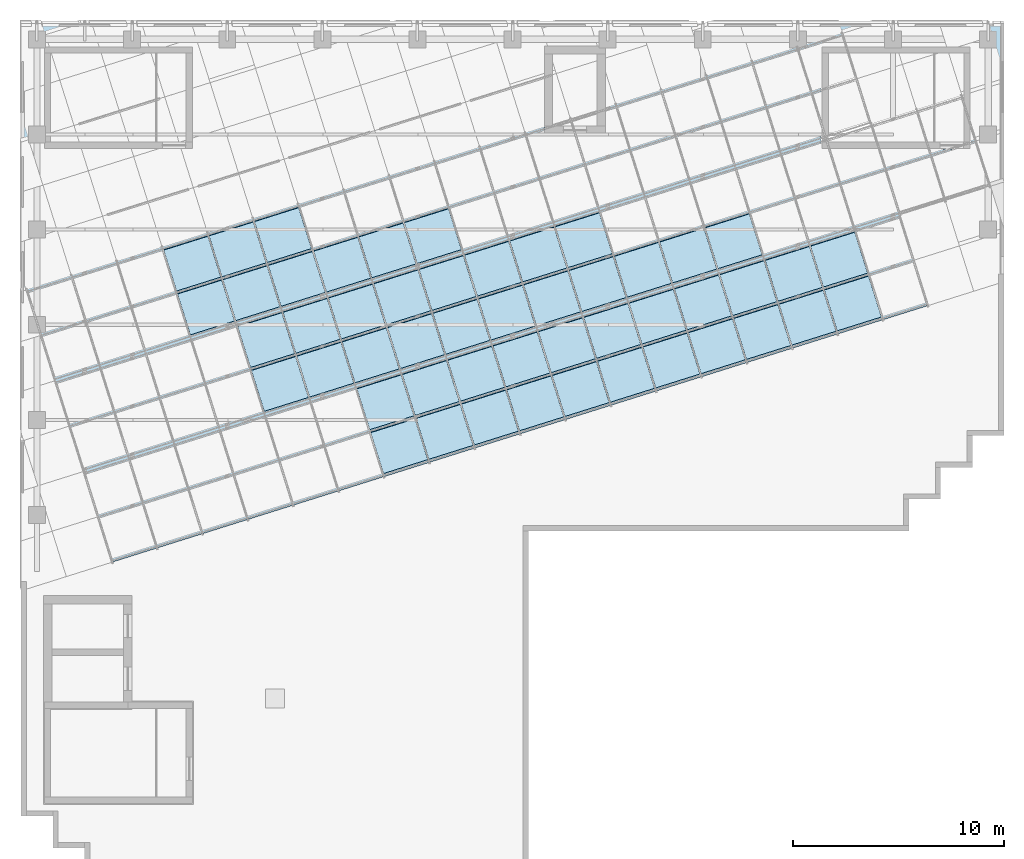
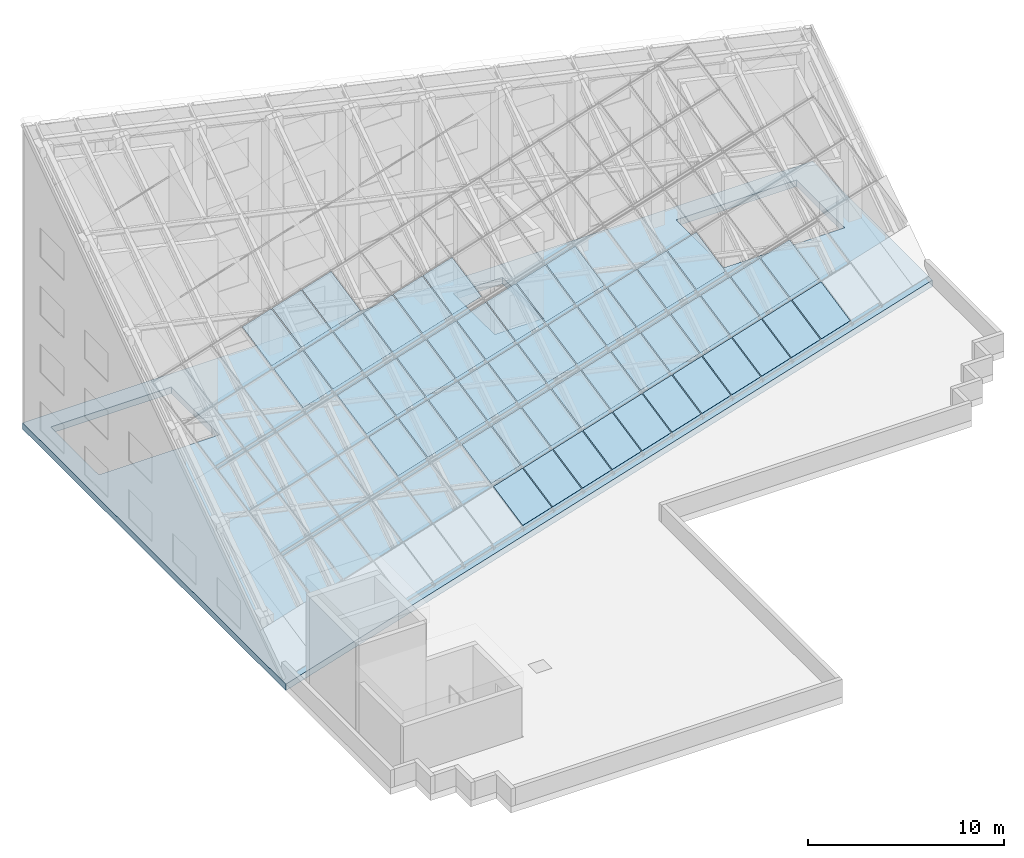
# One storey, part 7 of 14: 50 plates, 1 slab, 3 elements without a shape of their own.
"""IFC4 building model written with IfcOpenShell, lengths in metres."""

from ifc_helpers import new_model, si_unit, direction, frame, origin, place, context, subcontext, project, spatial, polyline, outline, extrude, material, layer, layer_set, type_object, element, aggregate, save


model = new_model("IFC4")

# Units and contexts
model_context = context("Model", 3, precision=1e-05, world=origin(), true_north=direction((0.0, 1.0)))
body_context = subcontext(model_context, "Body", "Model", "MODEL_VIEW")
ifc_project = project(units=[si_unit("LENGTHUNIT", "METRE"), si_unit("AREAUNIT", "SQUARE_METRE"), si_unit("VOLUMEUNIT", "CUBIC_METRE"), si_unit("PLANEANGLEUNIT", "RADIAN"), si_unit("MASSUNIT", "GRAM", prefix="KILO")], contexts=[model_context])

# Site, building, storey
site_placement = place(None, origin())
site = spatial("IfcSite", under=ifc_project, at=site_placement, CompositionType="ELEMENT")
building_placement = place(site_placement, origin())
building = spatial("IfcBuilding", under=site, at=building_placement, Name="Firuza Court", CompositionType="ELEMENT")
storey_placement = place(building_placement, frame((0.0, 0.0, 266.199951171875)))
storey = spatial("IfcBuildingStorey", under=building, at=storey_placement, Name="L68 Crown", CompositionType="ELEMENT", Elevation=266.199951171875)

# Slab
ifc_material_1 = material(Name="Concrete C40/50", Category="concrete")
ifc_layer_1 = layer(ifc_material_1, 0.39990234375)
ifc_layer_set_1 = layer_set([ifc_layer_1], Name="Concrete C40/50")
slab_type = type_object("IfcSlabType", Name="Floor slab 400 C40/50", PredefinedType="FLOOR", material=ifc_layer_set_1)
slab_placement = place(storey_placement, frame((0.0, 0.0, -0.39990234375)))
element("IfcSlab", 1, at=slab_placement, inside=storey, type_object=slab_type, Name="Floor slab L68", PredefinedType="FLOOR", context=body_context, shape_type="SweptSolid", body=[
    extrude(outline(polyline([(45.75, 59.25), (45.75, 47.035888671875), (-0.75, 32.413330078125), (-0.75, 59.25), (45.75, 59.25)]), holes=[polyline([(7.39990234375, 53.300048828125), (7.39990234375, 58.199951171875), (0.300048828125, 58.199951171875), (0.300048828125, 53.300048828125), (7.39990234375, 53.300048828125)]), polyline([(37.10009765625, 53.300048828125), (44.199951171875, 53.300048828125), (44.199951171875, 58.199951171875), (37.10009765625, 58.199951171875), (37.10009765625, 53.300048828125)]), polyline([(24.0, 54.0), (26.89990234375, 54.0), (26.89990234375, 58.199951171875), (24.0, 58.199951171875), (24.0, 54.0)])]), origin(), (0.0, 0.0, 1.0), 0.39990234375),
])

# Curtain wall, plates
ifc_material_2 = material(Name="Aluminium curtain wall, triple clear glazing", Category="aluminium")
curtain_wall_type = type_object("IfcCurtainWallType", Name="Crown sloped structural glazing CW5", PredefinedType="NOTDEFINED", material=ifc_material_2)
curtain_wall_1_placement = place(storey_placement, origin())
curtain_wall_1 = element("IfcCurtainWall", 2, at=curtain_wall_1_placement, inside=storey, type_object=curtain_wall_type, Name="Crown sloped structural glazing CW5 1.1", PredefinedType="NOTDEFINED")
ifc_material_3 = material(Name="Triple clear glazing", Category="glass")
ifc_layer_2 = layer(ifc_material_3, 0.031982421875)
ifc_layer_set_2 = layer_set([ifc_layer_2], Name="Triple clear glazing")
plate_type = type_object("IfcPlateType", Name="Glazed panel 32 CW5", PredefinedType="CURTAIN_PANEL", material=ifc_layer_set_2)
plate_1_placement = place(storey_placement, frame((39.949951171875, 45.369384765625, 0.509033203125), z_axis=(0.17634130148, -0.560707672284, 0.809018325895), x_axis=(-0.953939127266, -0.300000235681, 7.952109e-06)))
plate_1 = element("IfcPlate", 3, at=plate_1_placement, type_object=plate_type, Name="CW5 panel 1.2", PredefinedType="CURTAIN_PANEL", context=body_context, shape_type="SweptSolid", body=[
    extrude(outline(polyline([(0.0, 0.0), (2.1899799185128552, -1.1102230246251565e-16), (2.1899424681567368, -2.5029184945452903), (0.00019544493862404028, -2.50297774777518), (0.0, 0.0)])), origin(), (0.0, 0.0, -1.0), 0.031982421875),
])
plate_2_placement = place(storey_placement, frame((37.803466796875, 44.6943359375, 0.509033203125), z_axis=(0.17635718883, -0.560686778681, 0.809029343201), x_axis=(-0.95393534933, -0.300012247516, 2.5284508e-05)))
plate_2 = element("IfcPlate", 4, at=plate_2_placement, type_object=plate_type, Name="CW5 panel 1.3", PredefinedType="CURTAIN_PANEL", context=body_context, shape_type="SweptSolid", body=[
    extrude(outline(polyline([(0.0, 0.0), (2.1899799175491244, -1.1102230246251565e-16), (2.1899424691204508, -2.5029184937020825), (-0.00011069360628924147, -2.503106913171865), (0.0, 0.0)])), origin(), (0.0, 0.0, -1.0), 0.031982421875),
])
plate_3_placement = place(storey_placement, frame((35.6572265625, 44.019287109375, 0.509033203125), z_axis=(0.176320738759, -0.560675050747, 0.809045415631), x_axis=(-0.953940860537, -0.299994724285, 0.0)))
plate_3 = element("IfcPlate", 5, at=plate_3_placement, type_object=plate_type, Name="CW5 panel 1.4", PredefinedType="CURTAIN_PANEL", context=body_context, shape_type="SweptSolid", body=[
    extrude(outline(polyline([(0.0, 0.0), (2.189979918618649, 0.0), (2.1898692271514615, -2.503106914107691), (-0.00011069146718678535, -2.5031069141076916), (0.0, 0.0)])), origin(), (0.0, 0.0, -1.0), 0.031982421875),
])
plate_4_placement = place(storey_placement, frame((33.5107421875, 43.344482421875, 0.509033203125), z_axis=(0.176334012168, -0.560717258312, 0.809013270833), x_axis=(-0.953940860537, -0.299994724285, 0.0)))
plate_4 = element("IfcPlate", 6, at=plate_4_placement, type_object=plate_type, Name="CW5 panel 1.5", PredefinedType="CURTAIN_PANEL", context=body_context, shape_type="SweptSolid", body=[
    extrude(outline(polyline([(0.0, 0.0), (2.189979918618649, -1.1102230246251565e-16), (2.189942468050945, -2.502918494637853), (-3.7450567703245235e-05, -2.502918494637853), (0.0, 0.0)])), origin(), (0.0, 0.0, -1.0), 0.031982421875),
])
plate_5_placement = place(storey_placement, frame((31.364501953125, 42.66943359375, 0.509033203125), z_axis=(0.176353013278, -0.560673503482, 0.809039453427), x_axis=(-0.953935349591, -0.300012246686, 2.5284226e-05)))
plate_5 = element("IfcPlate", 7, at=plate_5_placement, type_object=plate_type, Name="CW5 panel 1.6", PredefinedType="CURTAIN_PANEL", context=body_context, shape_type="SweptSolid", body=[
    extrude(outline(polyline([(0.0, 0.0), (2.189979917549175, 0.0), (2.1901753648384186, -2.5029777469318244), (0.00012220211183020487, -2.503166168756235), (0.0, 0.0)])), origin(), (0.0, 0.0, -1.0), 0.031982421875),
])
plate_6_placement = place(storey_placement, frame((29.218017578125, 41.994384765625, 0.509033203125), z_axis=(0.176320738759, -0.560675050747, 0.809045415631), x_axis=(-0.953940860537, -0.299994724285, 0.0)))
plate_6 = element("IfcPlate", 8, at=plate_6_placement, type_object=plate_type, Name="CW5 panel 1.7", PredefinedType="CURTAIN_PANEL", context=body_context, shape_type="SweptSolid", body=[
    extrude(outline(polyline([(0.0, 0.0), (2.189979918618649, 0.0), (2.1898692271514615, -2.503106914107691), (-0.00011069146718678535, -2.5031069141076916), (0.0, 0.0)])), origin(), (0.0, 0.0, -1.0), 0.031982421875),
])
plate_7_placement = place(storey_placement, frame((27.07177734375, 41.319580078125, 0.509033203125), z_axis=(0.176322549427, -0.560713569944, 0.80901832553), x_axis=(-0.953949159134, -0.299968334537, 7.950418e-06)))
plate_7 = element("IfcPlate", 9, at=plate_7_placement, type_object=plate_type, Name="CW5 panel 1.8", PredefinedType="CURTAIN_PANEL", context=body_context, shape_type="SweptSolid", body=[
    extrude(outline(polyline([(0.0, 0.0), (2.1902128154553844, 0.0), (2.1902430777330015, -2.5029184946425405), (0.00026316002154626864, -2.502977741571694), (0.0, 0.0)])), origin(), (0.0, 0.0, -1.0), 0.031982421875),
])
plate_8_placement = place(storey_placement, frame((24.92529296875, 40.64453125, 0.509033203125), z_axis=(0.17635718883, -0.560686778681, 0.809029343201), x_axis=(-0.95393534933, -0.300012247516, 2.5284508e-05)))
plate_8 = element("IfcPlate", 10, at=plate_8_placement, type_object=plate_type, Name="CW5 panel 1.9", PredefinedType="CURTAIN_PANEL", context=body_context, shape_type="SweptSolid", body=[
    extrude(outline(polyline([(0.0, 0.0), (2.1899799175491244, -1.1102230246251565e-16), (2.1899424691204508, -2.5029184937020825), (-0.00011069360628924147, -2.503106913171865), (0.0, 0.0)])), origin(), (0.0, 0.0, -1.0), 0.031982421875),
])
plate_9_placement = place(storey_placement, frame((22.77880859375, 39.969482421875, 0.509033203125), z_axis=(0.176320738759, -0.560675050747, 0.809045415631), x_axis=(-0.953940860537, -0.299994724285, 0.0)))
plate_9 = element("IfcPlate", 11, at=plate_9_placement, type_object=plate_type, Name="CW5 panel 1.10", PredefinedType="CURTAIN_PANEL", context=body_context, shape_type="SweptSolid", body=[
    extrude(outline(polyline([(0.0, 0.0), (2.189979918618649, 0.0), (2.1898692271514615, -2.503106914107691), (-0.00011069146718678535, -2.5031069141076916), (0.0, 0.0)])), origin(), (0.0, 0.0, -1.0), 0.031982421875),
])
plate_10_placement = place(storey_placement, frame((20.632568359375, 39.294677734375, 0.509033203125), z_axis=(0.176322549427, -0.560713569944, 0.80901832553), x_axis=(-0.953942593531, -0.299989213446, -7.951263e-06)))
plate_10 = element("IfcPlate", 12, at=plate_10_placement, type_object=plate_type, Name="CW5 panel 1.11", PredefinedType="CURTAIN_PANEL", context=body_context, shape_type="SweptSolid", body=[
    extrude(outline(polyline([(0.0, 0.0), (2.189979918512878, -1.1102230246251565e-16), (2.19017536387463, -2.5029777477751662), (-3.745077924669999e-05, -2.5029184945453027), (0.0, 0.0)])), origin(), (0.0, 0.0, -1.0), 0.031982421875),
])
plate_11_placement = place(storey_placement, frame((18.486083984375, 38.61962890625, 0.509033203125), z_axis=(0.17635718883, -0.560686778681, 0.809029343201), x_axis=(-0.95393534933, -0.300012247516, 2.5284508e-05)))
plate_11 = element("IfcPlate", 13, at=plate_11_placement, type_object=plate_type, Name="CW5 panel 1.12", PredefinedType="CURTAIN_PANEL", context=body_context, shape_type="SweptSolid", body=[
    extrude(outline(polyline([(0.0, 0.0), (2.1899799175491244, -1.1102230246251565e-16), (2.1899424691204508, -2.5029184937020825), (-0.00011069360628924147, -2.503106913171865), (0.0, 0.0)])), origin(), (0.0, 0.0, -1.0), 0.031982421875),
])
plate_12_placement = place(storey_placement, frame((39.29736328125, 47.444091796875, 2.08935546875), z_axis=(0.176297560559, -0.560705528974, 0.809029344288), x_axis=(-0.953946370996, -0.299977200175, -2.5285354e-05)))
plate_12 = element("IfcPlate", 14, at=plate_12_placement, type_object=plate_type, Name="CW5 panel 2.2", PredefinedType="CURTAIN_PANEL", context=body_context, shape_type="SweptSolid", body=[
    extrude(outline(polyline([(0.0, 0.0), (2.189979917549053, -1.1102230246251565e-16), (2.1898692282210037, -2.503106913171992), (-3.7452706913041525e-05, -2.502918493701956), (0.0, 0.0)])), origin(), (0.0, 0.0, -1.0), 0.031982421875),
])
plate_13_placement = place(storey_placement, frame((37.151123046875, 46.76904296875, 2.08935546875), z_axis=(0.176297560559, -0.560705528974, 0.809029344288), x_axis=(-0.953967249752, -0.299910796341, 2.5286199e-05)))
plate_13 = element("IfcPlate", 15, at=plate_13_placement, type_object=plate_type, Name="CW5 panel 2.3", PredefinedType="CURTAIN_PANEL", context=body_context, shape_type="SweptSolid", body=[
    extrude(outline(polyline([(0.0, 0.0), (2.1899066890337173, -1.1102230246251565e-16), (2.1900845873181463, -2.5029184876599904), (0.00010467787516601404, -2.503106913430604), (0.0, 0.0)])), origin(), (0.0, 0.0, -1.0), 0.031982421875),
])
plate_14_placement = place(storey_placement, frame((35.004638671875, 46.09423828125, 2.08935546875), z_axis=(0.176334012168, -0.560717258312, 0.809013270833), x_axis=(-0.953940860537, -0.299994724285, 0.0)))
plate_14 = element("IfcPlate", 16, at=plate_14_placement, type_object=plate_type, Name="CW5 panel 2.4", PredefinedType="CURTAIN_PANEL", context=body_context, shape_type="SweptSolid", body=[
    extrude(outline(polyline([(0.0, 0.0), (2.189979918618649, -1.1102230246251565e-16), (2.189942468050945, -2.502918494637853), (-3.7450567703245235e-05, -2.502918494637853), (0.0, 0.0)])), origin(), (0.0, 0.0, -1.0), 0.031982421875),
])
plate_15_placement = place(storey_placement, frame((32.8583984375, 45.419189453125, 2.08935546875), z_axis=(0.176309276885, -0.56067136267, 0.809050469356), x_axis=(-0.95394259327, -0.299989214276, -7.950981e-06)))
plate_15 = element("IfcPlate", 17, at=plate_15_placement, type_object=plate_type, Name="CW5 panel 2.5", PredefinedType="CURTAIN_PANEL", context=body_context, shape_type="SweptSolid", body=[
    extrude(outline(polyline([(0.0, 0.0), (2.189979918512894, 0.0), (2.190102122975127, -2.503166169599263), (-0.00011069167870183733, -2.5031069140151567), (0.0, 0.0)])), origin(), (0.0, 0.0, -1.0), 0.031982421875),
])
plate_16_placement = place(storey_placement, frame((30.7119140625, 44.744384765625, 2.08935546875), z_axis=(0.176334012168, -0.560717258312, 0.809013270833), x_axis=(-0.953940860537, -0.299994724285, 0.0)))
plate_16 = element("IfcPlate", 18, at=plate_16_placement, type_object=plate_type, Name="CW5 panel 2.6", PredefinedType="CURTAIN_PANEL", context=body_context, shape_type="SweptSolid", body=[
    extrude(outline(polyline([(0.0, 0.0), (2.189979918618649, -1.1102230246251565e-16), (2.189942468050945, -2.502918494637853), (-3.7450567703245235e-05, -2.502918494637853), (0.0, 0.0)])), origin(), (0.0, 0.0, -1.0), 0.031982421875),
])
plate_17_placement = place(storey_placement, frame((28.565673828125, 44.0693359375, 2.08935546875), z_axis=(0.176322549427, -0.560713569944, 0.80901832553), x_axis=(-0.953949159134, -0.299968334537, 7.950418e-06)))
plate_17 = element("IfcPlate", 19, at=plate_17_placement, type_object=plate_type, Name="CW5 panel 2.7", PredefinedType="CURTAIN_PANEL", context=body_context, shape_type="SweptSolid", body=[
    extrude(outline(polyline([(0.0, 0.0), (2.1902128154553844, 0.0), (2.1902430777330015, -2.5029184946425405), (0.00026316002154626864, -2.502977741571694), (0.0, 0.0)])), origin(), (0.0, 0.0, -1.0), 0.031982421875),
])
plate_18_placement = place(storey_placement, frame((26.419189453125, 43.394287109375, 2.08935546875), z_axis=(0.176320738759, -0.560675050747, 0.809045415631), x_axis=(-0.953940860537, -0.299994724285, 0.0)))
plate_18 = element("IfcPlate", 20, at=plate_18_placement, type_object=plate_type, Name="CW5 panel 2.8", PredefinedType="CURTAIN_PANEL", context=body_context, shape_type="SweptSolid", body=[
    extrude(outline(polyline([(0.0, 0.0), (2.189979918618649, 0.0), (2.1898692271514615, -2.503106914107691), (-0.00011069146718678535, -2.5031069141076916), (0.0, 0.0)])), origin(), (0.0, 0.0, -1.0), 0.031982421875),
])
plate_19_placement = place(storey_placement, frame((24.272705078125, 42.719482421875, 2.08935546875), z_axis=(0.176334012168, -0.560717258312, 0.809013270833), x_axis=(-0.953940860537, -0.299994724285, 0.0)))
plate_19 = element("IfcPlate", 21, at=plate_19_placement, type_object=plate_type, Name="CW5 panel 2.9", PredefinedType="CURTAIN_PANEL", context=body_context, shape_type="SweptSolid", body=[
    extrude(outline(polyline([(0.0, 0.0), (2.189979918618649, -1.1102230246251565e-16), (2.189942468050945, -2.502918494637853), (-3.7450567703245235e-05, -2.502918494637853), (0.0, 0.0)])), origin(), (0.0, 0.0, -1.0), 0.031982421875),
])
plate_20_placement = place(storey_placement, frame((22.12646484375, 42.04443359375, 2.08935546875), z_axis=(0.176345724443, -0.56068309007, 0.809034398515), x_axis=(-0.953937082882, -0.300006735929, 1.7332034e-05)))
plate_20 = element("IfcPlate", 22, at=plate_20_placement, type_object=plate_type, Name="CW5 panel 2.10", PredefinedType="CURTAIN_PANEL", context=body_context, shape_type="SweptSolid", body=[
    extrude(outline(polyline([(0.0, 0.0), (2.1899799181161033, 0.0), (2.19017536427144, -2.5029777474279467), (-0.00011069247230279222, -2.5031069136679673), (0.0, 0.0)])), origin(), (0.0, 0.0, -1.0), 0.031982421875),
])
plate_21_placement = place(storey_placement, frame((19.97998046875, 41.369384765625, 2.08935546875), z_axis=(0.176320738759, -0.560675050747, 0.809045415631), x_axis=(-0.953940860537, -0.299994724285, 0.0)))
plate_21 = element("IfcPlate", 23, at=plate_21_placement, type_object=plate_type, Name="CW5 panel 2.11", PredefinedType="CURTAIN_PANEL", context=body_context, shape_type="SweptSolid", body=[
    extrude(outline(polyline([(0.0, 0.0), (2.189979918618649, 0.0), (2.1898692271514615, -2.503106914107691), (-0.00011069146718678535, -2.5031069141076916), (0.0, 0.0)])), origin(), (0.0, 0.0, -1.0), 0.031982421875),
])
plate_22_placement = place(storey_placement, frame((17.833740234375, 40.694580078125, 2.08935546875), z_axis=(0.176334012168, -0.560717258312, 0.809013270833), x_axis=(-0.953940860537, -0.299994724285, 0.0)))
plate_22 = element("IfcPlate", 24, at=plate_22_placement, type_object=plate_type, Name="CW5 panel 2.12", PredefinedType="CURTAIN_PANEL", context=body_context, shape_type="SweptSolid", body=[
    extrude(outline(polyline([(0.0, 0.0), (2.189979918618649, -1.1102230246251565e-16), (2.189942468050945, -2.502918494637853), (-3.7450567703245235e-05, -2.502918494637853), (0.0, 0.0)])), origin(), (0.0, 0.0, -1.0), 0.031982421875),
])
aggregate(curtain_wall_1, [plate_1, plate_2, plate_3, plate_4, plate_5, plate_6, plate_7, plate_8, plate_9, plate_10, plate_11, plate_12, plate_13, plate_14, plate_15, plate_16, plate_17, plate_18, plate_19, plate_20, plate_21, plate_22])

curtain_wall_2_placement = place(storey_placement, origin())
curtain_wall_2 = element("IfcCurtainWall", 25, at=curtain_wall_2_placement, inside=storey, type_object=curtain_wall_type, Name="Crown sloped structural glazing CW5 2.1", PredefinedType="NOTDEFINED")
plate_23_placement = place(storey_placement, frame((34.30712890625, 48.31201171875, 3.778564453125), z_axis=(0.176320738759, -0.560675050747, 0.809045415631), x_axis=(-0.953940860537, -0.299994724285, 0.0)))
plate_23 = element("IfcPlate", 26, at=plate_23_placement, type_object=plate_type, Name="CW5 panel 1.6", PredefinedType="CURTAIN_PANEL", context=body_context, shape_type="SweptSolid", body=[
    extrude(outline(polyline([(0.0, 0.0), (2.189979918618649, 0.0), (2.1898692271514615, -2.503106914107691), (-0.00011069146718678535, -2.5031069141076916), (0.0, 0.0)])), origin(), (0.0, 0.0, -1.0), 0.031982421875),
])
plate_24_placement = place(storey_placement, frame((32.160888671875, 47.63720703125, 3.778564453125), z_axis=(0.176334012168, -0.560717258312, 0.809013270833), x_axis=(-0.953940860537, -0.299994724285, 0.0)))
plate_24 = element("IfcPlate", 27, at=plate_24_placement, type_object=plate_type, Name="CW5 panel 1.7", PredefinedType="CURTAIN_PANEL", context=body_context, shape_type="SweptSolid", body=[
    extrude(outline(polyline([(0.0, 0.0), (2.189979918618649, -1.1102230246251565e-16), (2.189942468050945, -2.502918494637853), (-3.7450567703245235e-05, -2.502918494637853), (0.0, 0.0)])), origin(), (0.0, 0.0, -1.0), 0.031982421875),
])
plate_25_placement = place(storey_placement, frame((30.014404296875, 46.962158203125, 3.778564453125), z_axis=(0.176297560559, -0.560705528974, 0.809029344288), x_axis=(-0.953946370996, -0.299977200175, -2.5285354e-05)))
plate_25 = element("IfcPlate", 28, at=plate_25_placement, type_object=plate_type, Name="CW5 panel 1.8", PredefinedType="CURTAIN_PANEL", context=body_context, shape_type="SweptSolid", body=[
    extrude(outline(polyline([(0.0, 0.0), (2.189979917549053, -1.1102230246251565e-16), (2.1898692282210037, -2.503106913171992), (-3.7452706913041525e-05, -2.502918493701956), (0.0, 0.0)])), origin(), (0.0, 0.0, -1.0), 0.031982421875),
])
plate_26_placement = place(storey_placement, frame((27.8681640625, 46.287109375, 3.778564453125), z_axis=(0.17629338783, -0.560692257819, 0.809039451096), x_axis=(-0.953967250013, -0.299910795511, 2.5285917e-05)))
plate_26 = element("IfcPlate", 29, at=plate_26_placement, type_object=plate_type, Name="CW5 panel 1.9", PredefinedType="CURTAIN_PANEL", context=body_context, shape_type="SweptSolid", body=[
    extrude(outline(polyline([(0.0, 0.0), (2.1899066890337684, 1.1102230246251565e-16), (2.1903174908239382, -2.502977720851133), (0.0003375813811094326, -2.503166148975658), (0.0, 0.0)])), origin(), (0.0, 0.0, -1.0), 0.031982421875),
])
plate_27_placement = place(storey_placement, frame((25.7216796875, 45.6123046875, 3.778564453125), z_axis=(0.176334012168, -0.560717258312, 0.809013270833), x_axis=(-0.953940860537, -0.299994724285, 0.0)))
plate_27 = element("IfcPlate", 30, at=plate_27_placement, type_object=plate_type, Name="CW5 panel 1.10", PredefinedType="CURTAIN_PANEL", context=body_context, shape_type="SweptSolid", body=[
    extrude(outline(polyline([(0.0, 0.0), (2.189979918618649, -1.1102230246251565e-16), (2.189942468050945, -2.502918494637853), (-3.7450567703245235e-05, -2.502918494637853), (0.0, 0.0)])), origin(), (0.0, 0.0, -1.0), 0.031982421875),
])
plate_28_placement = place(storey_placement, frame((23.575439453125, 44.937255859375, 3.778564453125), z_axis=(0.17629027269, -0.560715111892, 0.809024290767), x_axis=(-0.953954669215, -0.299950810605, -1.7333918e-05)))
plate_28 = element("IfcPlate", 31, at=plate_28_placement, type_object=plate_type, Name="CW5 panel 1.11", PredefinedType="CURTAIN_PANEL", context=body_context, shape_type="SweptSolid", body=[
    extrude(outline(polyline([(0.0, 0.0), (2.1902128150584232, 0.0), (2.1899369468515513, -2.503047667203558), (3.0261060662368114e-05, -2.5029184942951894), (0.0, 0.0)])), origin(), (0.0, 0.0, -1.0), 0.031982421875),
])
plate_29_placement = place(storey_placement, frame((21.428955078125, 44.26220703125, 3.778564453125), z_axis=(0.176297560559, -0.560705528974, 0.809029344288), x_axis=(-0.953967249752, -0.299910796341, 2.5286199e-05)))
plate_29 = element("IfcPlate", 32, at=plate_29_placement, type_object=plate_type, Name="CW5 panel 1.12", PredefinedType="CURTAIN_PANEL", context=body_context, shape_type="SweptSolid", body=[
    extrude(outline(polyline([(0.0, 0.0), (2.1899066890337173, -1.1102230246251565e-16), (2.1900845873181463, -2.5029184876599904), (0.00010467787516601404, -2.503106913430604), (0.0, 0.0)])), origin(), (0.0, 0.0, -1.0), 0.031982421875),
])
plate_30_placement = place(storey_placement, frame((19.28271484375, 43.58740234375, 3.778564453125), z_axis=(0.17629338783, -0.560692257819, 0.809039451096), x_axis=(-0.953946370735, -0.299977201004, -2.5285071e-05)))
plate_30 = element("IfcPlate", 33, at=plate_30_placement, type_object=plate_type, Name="CW5 panel 1.13", PredefinedType="CURTAIN_PANEL", context=body_context, shape_type="SweptSolid", body=[
    extrude(outline(polyline([(0.0, 0.0), (2.189979917549103, 0.0), (2.1901021239389706, -2.503166168755964), (0.00019544301120645664, -2.502977746932096), (0.0, 0.0)])), origin(), (0.0, 0.0, -1.0), 0.031982421875),
])
plate_31_placement = place(storey_placement, frame((17.13623046875, 42.912353515625, 3.778564453125), z_axis=(0.176297560559, -0.560705528974, 0.809029344288), x_axis=(-0.953967249752, -0.299910796341, 2.5286199e-05)))
plate_31 = element("IfcPlate", 34, at=plate_31_placement, type_object=plate_type, Name="CW5 panel 1.14", PredefinedType="CURTAIN_PANEL", context=body_context, shape_type="SweptSolid", body=[
    extrude(outline(polyline([(0.0, 0.0), (2.1899066890337173, -1.1102230246251565e-16), (2.1900845873181463, -2.5029184876599904), (0.00010467787516601404, -2.503106913430604), (0.0, 0.0)])), origin(), (0.0, 0.0, -1.0), 0.031982421875),
])
plate_32_placement = place(storey_placement, frame((14.989990234375, 42.237548828125, 3.778564453125), z_axis=(0.176322549427, -0.560713569944, 0.80901832553), x_axis=(-0.953949159134, -0.299968334537, 7.950418e-06)))
plate_32 = element("IfcPlate", 35, at=plate_32_placement, type_object=plate_type, Name="CW5 panel 1.15", PredefinedType="CURTAIN_PANEL", context=body_context, shape_type="SweptSolid", body=[
    extrude(outline(polyline([(0.0, 0.0), (2.1902128154553844, 0.0), (2.1902430777330015, -2.5029184946425405), (0.00026316002154626864, -2.502977741571694), (0.0, 0.0)])), origin(), (0.0, 0.0, -1.0), 0.031982421875),
])
plate_33_placement = place(storey_placement, frame((12.843505859375, 41.5625, 3.778564453125), z_axis=(0.176297560559, -0.560705528974, 0.809029344288), x_axis=(-0.953946370996, -0.299977200175, -2.5285354e-05)))
plate_33 = element("IfcPlate", 36, at=plate_33_placement, type_object=plate_type, Name="CW5 panel 1.16", PredefinedType="CURTAIN_PANEL", context=body_context, shape_type="SweptSolid", body=[
    extrude(outline(polyline([(0.0, 0.0), (2.189979917549053, -1.1102230246251565e-16), (2.1898692282210037, -2.503106913171992), (-3.7452706913041525e-05, -2.502918493701956), (0.0, 0.0)])), origin(), (0.0, 0.0, -1.0), 0.031982421875),
])
plate_34_placement = place(storey_placement, frame((27.2158203125, 48.362060546875, 5.358642578125), z_axis=(0.176322549427, -0.560713569944, 0.80901832553), x_axis=(-0.953949159134, -0.299968334537, 7.950418e-06)))
plate_34 = element("IfcPlate", 37, at=plate_34_placement, type_object=plate_type, Name="CW5 panel 2.9", PredefinedType="CURTAIN_PANEL", context=body_context, shape_type="SweptSolid", body=[
    extrude(outline(polyline([(0.0, 0.0), (2.1902128154553844, 0.0), (2.1902430777330015, -2.5029184946425405), (0.00026316002154626864, -2.502977741571694), (0.0, 0.0)])), origin(), (0.0, 0.0, -1.0), 0.031982421875),
])
plate_35_placement = place(storey_placement, frame((25.0693359375, 47.68701171875, 5.358642578125), z_axis=(0.176313450423, -0.560684634708, 0.809040362159), x_axis=(-0.953949159313, -0.299968333968, 7.950224e-06)))
plate_35 = element("IfcPlate", 38, at=plate_35_placement, type_object=plate_type, Name="CW5 panel 2.10", PredefinedType="CURTAIN_PANEL", context=body_context, shape_type="SweptSolid", body=[
    extrude(outline(polyline([(0.0, 0.0), (2.190212815455395, 1.1102230246251565e-16), (2.1899369464546297, -2.5030476675508284), (-4.2971256792986864e-05, -2.5031069160937927), (0.0, 0.0)])), origin(), (0.0, 0.0, -1.0), 0.031982421875),
])
plate_36_placement = place(storey_placement, frame((22.9228515625, 47.01220703125, 5.358642578125), z_axis=(0.176334012168, -0.560717258312, 0.809013270833), x_axis=(-0.953940860537, -0.299994724285, 0.0)))
plate_36 = element("IfcPlate", 39, at=plate_36_placement, type_object=plate_type, Name="CW5 panel 2.11", PredefinedType="CURTAIN_PANEL", context=body_context, shape_type="SweptSolid", body=[
    extrude(outline(polyline([(0.0, 0.0), (2.189979918618649, -1.1102230246251565e-16), (2.189942468050945, -2.502918494637853), (-3.7450567703245235e-05, -2.502918494637853), (0.0, 0.0)])), origin(), (0.0, 0.0, -1.0), 0.031982421875),
])
plate_37_placement = place(storey_placement, frame((20.776611328125, 46.337158203125, 5.358642578125), z_axis=(0.176286100332, -0.560701841142, 0.809034397396), x_axis=(-0.953948103172, -0.299971690913, -3.3235123e-05)))
plate_37 = element("IfcPlate", 40, at=plate_37_placement, type_object=plate_type, Name="CW5 panel 2.12", PredefinedType="CURTAIN_PANEL", context=body_context, shape_type="SweptSolid", body=[
    extrude(outline(polyline([(0.0, 0.0), (2.1899799167707816, 0.0), (2.1901021247173365, -2.5031661680749466), (-3.7454263469218547e-05, -2.5029184930209682), (0.0, 0.0)])), origin(), (0.0, 0.0, -1.0), 0.031982421875),
])
plate_38_placement = place(storey_placement, frame((18.630126953125, 45.662109375, 5.358642578125), z_axis=(0.176297560559, -0.560705528974, 0.809029344288), x_axis=(-0.953967249752, -0.299910796341, 2.5286199e-05)))
plate_38 = element("IfcPlate", 41, at=plate_38_placement, type_object=plate_type, Name="CW5 panel 2.13", PredefinedType="CURTAIN_PANEL", context=body_context, shape_type="SweptSolid", body=[
    extrude(outline(polyline([(0.0, 0.0), (2.1899066890337173, -1.1102230246251565e-16), (2.1900845873181463, -2.5029184876599904), (0.00010467787516601404, -2.503106913430604), (0.0, 0.0)])), origin(), (0.0, 0.0, -1.0), 0.031982421875),
])
plate_39_placement = place(storey_placement, frame((16.48388671875, 44.9873046875, 5.358642578125), z_axis=(0.176322549427, -0.560713569944, 0.80901832553), x_axis=(-0.953949159134, -0.299968334537, 7.950418e-06)))
plate_39 = element("IfcPlate", 42, at=plate_39_placement, type_object=plate_type, Name="CW5 panel 2.14", PredefinedType="CURTAIN_PANEL", context=body_context, shape_type="SweptSolid", body=[
    extrude(outline(polyline([(0.0, 0.0), (2.1902128154553844, 0.0), (2.1902430777330015, -2.5029184946425405), (0.00026316002154626864, -2.502977741571694), (0.0, 0.0)])), origin(), (0.0, 0.0, -1.0), 0.031982421875),
])
plate_40_placement = place(storey_placement, frame((14.33740234375, 44.312255859375, 5.358642578125), z_axis=(0.176297560559, -0.560705528974, 0.809029344288), x_axis=(-0.953946370996, -0.299977200175, -2.5285354e-05)))
plate_40 = element("IfcPlate", 43, at=plate_40_placement, type_object=plate_type, Name="CW5 panel 2.15", PredefinedType="CURTAIN_PANEL", context=body_context, shape_type="SweptSolid", body=[
    extrude(outline(polyline([(0.0, 0.0), (2.189979917549053, -1.1102230246251565e-16), (2.1898692282210037, -2.503106913171992), (-3.7452706913041525e-05, -2.502918493701956), (0.0, 0.0)])), origin(), (0.0, 0.0, -1.0), 0.031982421875),
])
plate_41_placement = place(storey_placement, frame((12.19091796875, 43.63720703125, 5.358642578125), z_axis=(0.176297560559, -0.560705528974, 0.809029344288), x_axis=(-0.953967249752, -0.299910796341, 2.5286199e-05)))
plate_41 = element("IfcPlate", 44, at=plate_41_placement, type_object=plate_type, Name="CW5 panel 2.16", PredefinedType="CURTAIN_PANEL", context=body_context, shape_type="SweptSolid", body=[
    extrude(outline(polyline([(0.0, 0.0), (2.1899066890337173, -1.1102230246251565e-16), (2.1900845873181463, -2.5029184876599904), (0.00010467787516601404, -2.503106913430604), (0.0, 0.0)])), origin(), (0.0, 0.0, -1.0), 0.031982421875),
])
aggregate(curtain_wall_2, [plate_23, plate_24, plate_25, plate_26, plate_27, plate_28, plate_29, plate_30, plate_31, plate_32, plate_33, plate_34, plate_35, plate_36, plate_37, plate_38, plate_39, plate_40, plate_41])

curtain_wall_3_placement = place(storey_placement, origin())
curtain_wall_3 = element("IfcCurtainWall", 45, at=curtain_wall_3_placement, inside=storey, type_object=curtain_wall_type, Name="Crown sloped structural glazing CW5 3.1", PredefinedType="NOTDEFINED")
plate_42_placement = place(storey_placement, frame((20.0791015625, 48.55517578125, 7.0478515625), z_axis=(0.176334012168, -0.560717258312, 0.809013270833), x_axis=(-0.953940860537, -0.299994724285, 0.0)))
plate_42 = element("IfcPlate", 46, at=plate_42_placement, type_object=plate_type, Name="CW5 panel 1.10", PredefinedType="CURTAIN_PANEL", context=body_context, shape_type="SweptSolid", body=[
    extrude(outline(polyline([(0.0, 0.0), (2.189979918618649, -1.1102230246251565e-16), (2.189942468050945, -2.502918494637853), (-3.7450567703245235e-05, -2.502918494637853), (0.0, 0.0)])), origin(), (0.0, 0.0, -1.0), 0.031982421875),
])
plate_43_placement = place(storey_placement, frame((17.9326171875, 47.880126953125, 7.0478515625), z_axis=(0.17635718883, -0.560686778681, 0.809029343201), x_axis=(-0.95393534933, -0.300012247516, 2.5284508e-05)))
plate_43 = element("IfcPlate", 47, at=plate_43_placement, type_object=plate_type, Name="CW5 panel 1.11", PredefinedType="CURTAIN_PANEL", context=body_context, shape_type="SweptSolid", body=[
    extrude(outline(polyline([(0.0, 0.0), (2.1899799175491244, -1.1102230246251565e-16), (2.1899424691204508, -2.5029184937020825), (-0.00011069360628924147, -2.503106913171865), (0.0, 0.0)])), origin(), (0.0, 0.0, -1.0), 0.031982421875),
])
plate_44_placement = place(storey_placement, frame((15.786376953125, 47.205078125, 7.0478515625), z_axis=(0.17631656485, -0.560661778305, 0.809055523007), x_axis=(-0.953940860537, -0.299994724285, 0.0)))
plate_44 = element("IfcPlate", 48, at=plate_44_placement, type_object=plate_type, Name="CW5 panel 1.12", PredefinedType="CURTAIN_PANEL", context=body_context, shape_type="SweptSolid", body=[
    extrude(outline(polyline([(0.0, 0.0), (2.189979918618649, -1.1102230246251565e-16), (2.1901021228693662, -2.5031661696917964), (0.00012220425071762797, -2.5031661696917964), (0.0, 0.0)])), origin(), (0.0, 0.0, -1.0), 0.031982421875),
])
plate_45_placement = place(storey_placement, frame((13.639892578125, 46.5302734375, 7.0478515625), z_axis=(0.176334012168, -0.560717258312, 0.809013270833), x_axis=(-0.953940860537, -0.299994724285, 0.0)))
plate_45 = element("IfcPlate", 49, at=plate_45_placement, type_object=plate_type, Name="CW5 panel 1.13", PredefinedType="CURTAIN_PANEL", context=body_context, shape_type="SweptSolid", body=[
    extrude(outline(polyline([(0.0, 0.0), (2.189979918618649, -1.1102230246251565e-16), (2.189942468050945, -2.502918494637853), (-3.7450567703245235e-05, -2.502918494637853), (0.0, 0.0)])), origin(), (0.0, 0.0, -1.0), 0.031982421875),
])
plate_46_placement = place(storey_placement, frame((11.49365234375, 45.855224609375, 7.0478515625), z_axis=(0.17635718883, -0.560686778681, 0.809029343201), x_axis=(-0.953941915112, -0.299991368038, 4.1185996e-05)))
plate_46 = element("IfcPlate", 50, at=plate_46_placement, type_object=plate_type, Name="CW5 panel 1.14", PredefinedType="CURTAIN_PANEL", context=body_context, shape_type="SweptSolid", body=[
    extrude(outline(polyline([(0.0, 0.0), (2.1902128127230487, -1.1102230246251565e-16), (2.190010182298117, -2.50285924606316), (0.00018992144571846654, -2.50316616298662), (0.0, 0.0)])), origin(), (0.0, 0.0, -1.0), 0.031982421875),
])
plate_47_placement = place(storey_placement, frame((9.34716796875, 45.180419921875, 7.0478515625), z_axis=(0.17635718883, -0.560686778681, 0.809029343201), x_axis=(-0.953914464909, -0.300078644688, -2.5283663e-05)))
plate_47 = element("IfcPlate", 51, at=plate_47_placement, type_object=plate_type, Name="CW5 panel 1.15", PredefinedType="CURTAIN_PANEL", context=body_context, shape_type="SweptSolid", body=[
    extrude(outline(polyline([(0.0, 0.0), (2.1900531708319995, 0.0), (2.189727124428448, -2.503106894384577), (-0.00025278501568837416, -2.502918481217082), (0.0, 0.0)])), origin(), (0.0, 0.0, -1.0), 0.031982421875),
])
plate_48_placement = place(storey_placement, frame((12.987548828125, 48.60498046875, 8.628173828125), z_axis=(0.176320738759, -0.560675050747, 0.809045415631), x_axis=(-0.953947426579, -0.299973843977, 1.5901205e-05)))
plate_48 = element("IfcPlate", 52, at=plate_48_placement, type_object=plate_type, Name="CW5 panel 2.13", PredefinedType="CURTAIN_PANEL", context=body_context, shape_type="SweptSolid", body=[
    extrude(outline(polyline([(0.0, 0.0), (2.190212815138114, -1.1102230246251565e-16), (2.1899369467718697, -2.5030476672732718), (0.00018992627564000004, -2.5031661650993797), (0.0, 0.0)])), origin(), (0.0, 0.0, -1.0), 0.031982421875),
])
plate_49_placement = place(storey_placement, frame((10.841064453125, 47.93017578125, 8.628173828125), z_axis=(0.176334012168, -0.560717258312, 0.809013270833), x_axis=(-0.953940860537, -0.299994724285, 0.0)))
plate_49 = element("IfcPlate", 53, at=plate_49_placement, type_object=plate_type, Name="CW5 panel 2.14", PredefinedType="CURTAIN_PANEL", context=body_context, shape_type="SweptSolid", body=[
    extrude(outline(polyline([(0.0, 0.0), (2.189979918618649, -1.1102230246251565e-16), (2.189942468050945, -2.502918494637853), (-3.7450567703245235e-05, -2.502918494637853), (0.0, 0.0)])), origin(), (0.0, 0.0, -1.0), 0.031982421875),
])
plate_50_placement = place(storey_placement, frame((8.694580078125, 47.255126953125, 8.628173828125), z_axis=(0.17635718883, -0.560686778681, 0.809029343201), x_axis=(-0.953928781453, -0.300033131215, 9.379638e-06)))
plate_50 = element("IfcPlate", 54, at=plate_50_placement, type_object=plate_type, Name="CW5 panel 2.15", PredefinedType="CURTAIN_PANEL", context=body_context, shape_type="SweptSolid", body=[
    extrude(outline(polyline([(0.0, 0.0), (2.189747023978429, 0.0), (2.189874739935906, -2.502977752111258), (-0.00041131985651805597, -2.5030476489212177), (0.0, 0.0)])), origin(), (0.0, 0.0, -1.0), 0.031982421875),
])
aggregate(curtain_wall_3, [plate_42, plate_43, plate_44, plate_45, plate_46, plate_47, plate_48, plate_49, plate_50])

save(model, "model.ifc")
